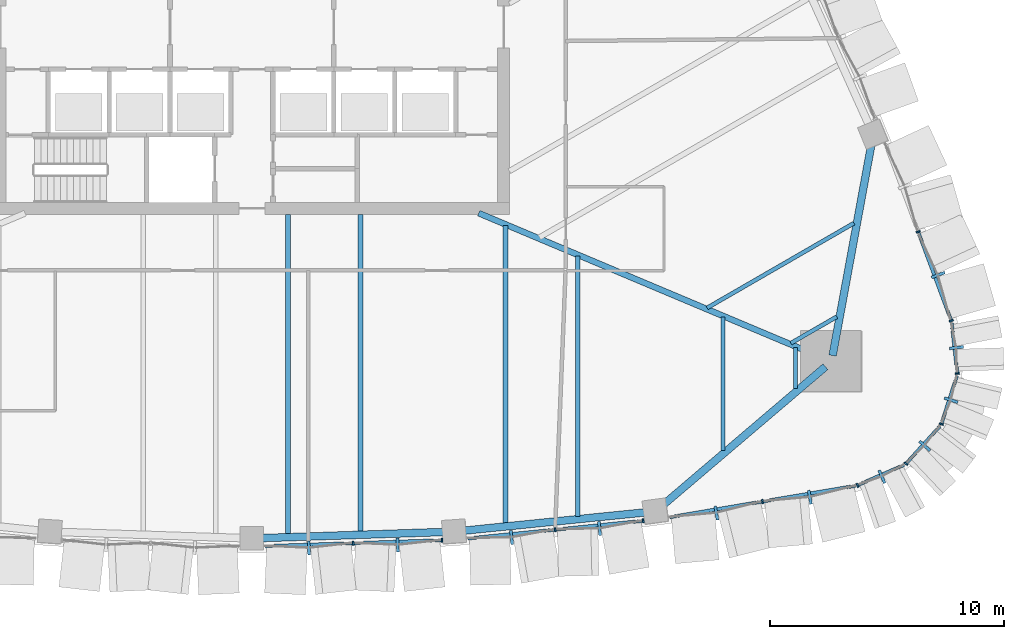
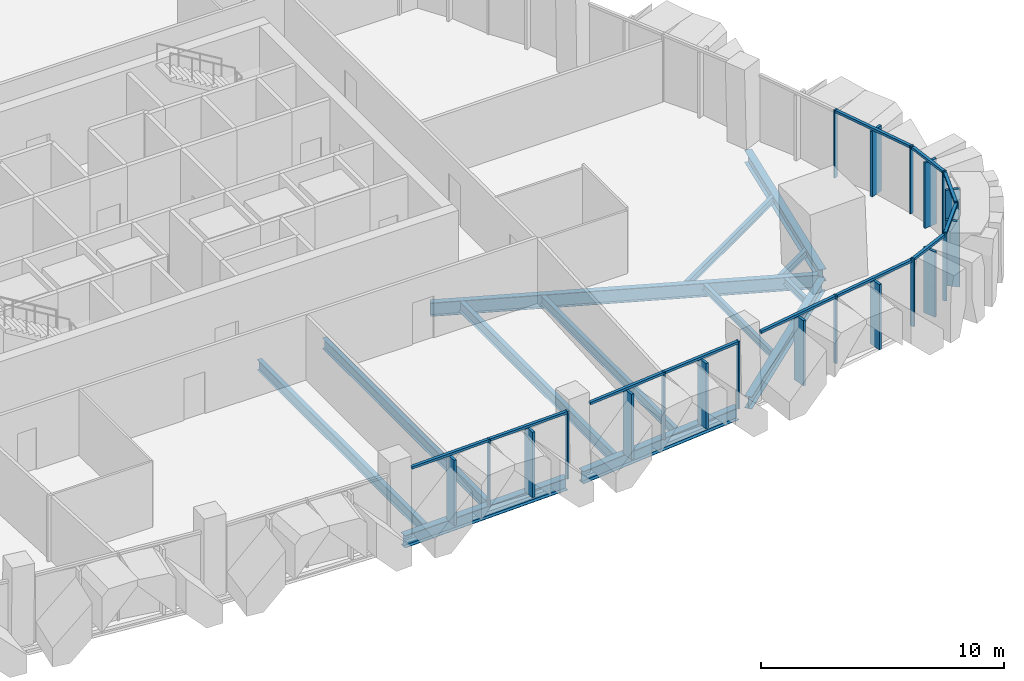
# One storey, part 4 of 18: 33 members, 13 beams, 8 elements without a shape of their own.
"""IFC4 building model written with IfcOpenShell, lengths in metres."""

from ifc_helpers import new_model, si_unit, direction, frame, origin, origin_2d, place, context, subcontext, project, spatial, rectangle, i_section, extrude, material, layer, layer_set, material_profile, profile_set, type_object, element, aggregate, save


model = new_model("IFC4")

# Units and contexts
model_context = context("Model", 3, precision=1e-05, world=origin(), true_north=direction((0.0, 1.0)))
body_context = subcontext(model_context, "Body", "Model", "MODEL_VIEW")
ifc_project = project(units=[si_unit("LENGTHUNIT", "METRE"), si_unit("AREAUNIT", "SQUARE_METRE"), si_unit("VOLUMEUNIT", "CUBIC_METRE"), si_unit("PLANEANGLEUNIT", "RADIAN"), si_unit("MASSUNIT", "GRAM", prefix="KILO")], contexts=[model_context])

# Site, building, storey
site_placement = place(None, origin())
site = spatial("IfcSite", under=ifc_project, at=site_placement, CompositionType="ELEMENT")
building_placement = place(site_placement, origin())
building = spatial("IfcBuilding", under=site, at=building_placement, Name="Sierra Prisma Convention Tower", CompositionType="ELEMENT")
storey_placement = place(building_placement, frame((0.0, 0.0, 137.800048828125)))
storey = spatial("IfcBuildingStorey", under=building, at=storey_placement, Name="L29", CompositionType="ELEMENT", Elevation=137.800048828125)

# Curtain wall, members
ifc_material_1 = material(Name="Aluminium and glass curtain wall", Category="aluminium")
ifc_layer = layer(ifc_material_1, 0.179931640625)
ifc_layer_set = layer_set([ifc_layer], Name="CW-2 Faceted crystal curtain wall")
curtain_wall_type = type_object("IfcCurtainWallType", Name="CW-2 Faceted crystal curtain wall", PredefinedType="NOTDEFINED", material=ifc_layer_set)
curtain_wall_1_placement = place(storey_placement, origin())
curtain_wall_1 = element("IfcCurtainWall", 1, at=curtain_wall_1_placement, inside=storey, type_object=curtain_wall_type, Name="CW-2 S4 L29", PredefinedType="NOTDEFINED")
ifc_material_2 = material(Name="Aluminium 6063-T6 bronze anodised", Category="aluminium")
ifc_material_profile_1 = material_profile(ifc_material_2, rectangle(XDim=0.1201171875, YDim=0.60009765625, at=origin_2d()), Name="ALU RIDGE BLADE 120x600")
ifc_profile_set_1 = profile_set([ifc_material_profile_1], Name="Aluminium 6063-T6 bronze anodised")
member_type_1 = type_object("IfcMemberType", Name="CW hip bronze", PredefinedType="MULLION", material=ifc_profile_set_1)
member_1_placement = place(storey_placement, frame((2.435302734375, -22.263427734375, 0.0), z_axis=(0.0, 0.0, 1.0), x_axis=(0.999438614123, 0.033503083443, 0.0)))
member_1 = element("IfcMember", 2, at=member_1_placement, type_object=member_type_1, Name="CW-2 ridge S4.1", PredefinedType="MULLION", context=body_context, shape_type="SweptSolid", body=[
    extrude(rectangle(XDim=0.1201171875, YDim=0.60009765625, at=origin_2d()), origin(), (0.0, 0.0, 1.0), 3.280029296875),
])
member_2_placement = place(storey_placement, frame((6.226318359375, -22.136474609375, 0.0), z_axis=(0.0, 0.0, 1.0), x_axis=(0.999438614123, 0.033503083443, 0.0)))
member_2 = element("IfcMember", 3, at=member_2_placement, type_object=member_type_1, Name="CW-2 ridge S4.2", PredefinedType="MULLION", context=body_context, shape_type="SweptSolid", body=[
    extrude(rectangle(XDim=0.1201171875, YDim=0.60009765625, at=origin_2d()), origin(), (0.0, 0.0, 1.0), 3.280029296875),
])

curtain_wall_2_placement = place(storey_placement, origin())
curtain_wall_2 = element("IfcCurtainWall", 4, at=curtain_wall_2_placement, inside=storey, type_object=curtain_wall_type, Name="CW-2 S5 L29", PredefinedType="NOTDEFINED")
member_3_placement = place(storey_placement, frame((11.090576171875, -21.81005859375, 0.0), z_axis=(0.0, 0.0, 1.0), x_axis=(0.994951308245, 0.100358827318, 0.0)))
member_3 = element("IfcMember", 5, at=member_3_placement, type_object=member_type_1, Name="CW-2 ridge S5.1", PredefinedType="MULLION", context=body_context, shape_type="SweptSolid", body=[
    extrude(rectangle(XDim=0.1201171875, YDim=0.60009765625, at=origin_2d()), origin(), (0.0, 0.0, 1.0), 3.280029296875),
])
member_4_placement = place(storey_placement, frame((14.8486328125, -21.430908203125, 0.0), z_axis=(0.0, 0.0, 1.0), x_axis=(0.994951308245, 0.100358827318, 0.0)))
member_4 = element("IfcMember", 6, at=member_4_placement, type_object=member_type_1, Name="CW-2 ridge S5.2", PredefinedType="MULLION", context=body_context, shape_type="SweptSolid", body=[
    extrude(rectangle(XDim=0.1201171875, YDim=0.60009765625, at=origin_2d()), origin(), (0.0, 0.0, 1.0), 3.280029296875),
])

curtain_wall_3_placement = place(storey_placement, origin())
curtain_wall_3 = element("IfcCurtainWall", 7, at=curtain_wall_3_placement, inside=storey, type_object=curtain_wall_type, Name="CW-2 S6 L29", PredefinedType="NOTDEFINED")
member_5_placement = place(storey_placement, frame((19.840087890625, -20.765625, 0.0), z_axis=(0.0, 0.0, 1.0), x_axis=(0.985996843714, 0.16676397748, 0.0)))
member_5 = element("IfcMember", 8, at=member_5_placement, type_object=member_type_1, Name="CW-2 ridge S6.1", PredefinedType="MULLION", context=body_context, shape_type="SweptSolid", body=[
    extrude(rectangle(XDim=0.1201171875, YDim=0.60009765625, at=origin_2d()), origin(), (0.0, 0.0, 1.0), 3.280029296875),
])
member_6_placement = place(storey_placement, frame((23.8330078125, -20.09033203125, 0.0), z_axis=(0.0, 0.0, 1.0), x_axis=(0.985996843714, 0.16676397748, 0.0)))
member_6 = element("IfcMember", 9, at=member_6_placement, type_object=member_type_1, Name="CW-2 ridge S6.2", PredefinedType="MULLION", context=body_context, shape_type="SweptSolid", body=[
    extrude(rectangle(XDim=0.1201171875, YDim=0.60009765625, at=origin_2d()), origin(), (0.0, 0.0, 1.0), 3.280029296875),
])

# Curtain wall, member
curtain_wall_4_placement = place(storey_placement, origin())
curtain_wall_4 = element("IfcCurtainWall", 10, at=curtain_wall_4_placement, inside=storey, type_object=curtain_wall_type, Name="CW-2 SE1 L29", PredefinedType="NOTDEFINED")
member_7_placement = place(storey_placement, frame((26.91162109375, -19.2138671875, 0.0), z_axis=(0.0, 0.0, 1.0), x_axis=(0.916084755525, 0.400984688853, 0.0)))
member_7 = element("IfcMember", 11, at=member_7_placement, type_object=member_type_1, Name="CW-2 ridge SE1.1", PredefinedType="MULLION", context=body_context, shape_type="SweptSolid", body=[
    extrude(rectangle(XDim=0.1201171875, YDim=0.60009765625, at=origin_2d()), origin(), (0.0, 0.0, 1.0), 3.280029296875),
])

curtain_wall_5_placement = place(storey_placement, origin())
curtain_wall_5 = element("IfcCurtainWall", 12, at=curtain_wall_5_placement, inside=storey, type_object=curtain_wall_type, Name="CW-2 SE2 L29", PredefinedType="NOTDEFINED")
member_8_placement = place(storey_placement, frame((28.74169921875, -17.89599609375, 0.0), z_axis=(0.0, 0.0, 1.0), x_axis=(0.670686652866, 0.741740799517, 0.0)))
member_8 = element("IfcMember", 13, at=member_8_placement, type_object=member_type_1, Name="CW-2 ridge SE2.1", PredefinedType="MULLION", context=body_context, shape_type="SweptSolid", body=[
    extrude(rectangle(XDim=0.1201171875, YDim=0.60009765625, at=origin_2d()), origin(), (0.0, 0.0, 1.0), 3.280029296875),
])

curtain_wall_6_placement = place(storey_placement, origin())
curtain_wall_6 = element("IfcCurtainWall", 14, at=curtain_wall_6_placement, inside=storey, type_object=curtain_wall_type, Name="CW-2 SE3 L29", PredefinedType="NOTDEFINED")
member_9_placement = place(storey_placement, frame((29.869140625, -15.94287109375, 0.0), z_axis=(0.0, 0.0, 1.0), x_axis=(0.307023048972, 0.951702079119, 0.0)))
member_9 = element("IfcMember", 15, at=member_9_placement, type_object=member_type_1, Name="CW-2 ridge SE3.1", PredefinedType="MULLION", context=body_context, shape_type="SweptSolid", body=[
    extrude(rectangle(XDim=0.1201171875, YDim=0.60009765625, at=origin_2d()), origin(), (0.0, 0.0, 1.0), 3.280029296875),
])

curtain_wall_7_placement = place(storey_placement, origin())
curtain_wall_7 = element("IfcCurtainWall", 16, at=curtain_wall_7_placement, inside=storey, type_object=curtain_wall_type, Name="CW-2 SE4 L29", PredefinedType="NOTDEFINED")
member_10_placement = place(storey_placement, frame((30.095458984375, -13.69921875, 0.0), z_axis=(0.0, 0.0, 1.0), x_axis=(-0.110779450688, 0.993845014731, 0.0)))
member_10 = element("IfcMember", 17, at=member_10_placement, type_object=member_type_1, Name="CW-2 ridge SE4.1", PredefinedType="MULLION", context=body_context, shape_type="SweptSolid", body=[
    extrude(rectangle(XDim=0.1201171875, YDim=0.60009765625, at=origin_2d()), origin(), (0.0, 0.0, 1.0), 3.280029296875),
])

curtain_wall_8_placement = place(storey_placement, origin())
curtain_wall_8 = element("IfcCurtainWall", 18, at=curtain_wall_8_placement, inside=storey, type_object=curtain_wall_type, Name="CW-2 NE1 L29", PredefinedType="NOTDEFINED")
member_11_placement = place(storey_placement, frame((29.315185546875, -10.594970703125, 0.0), z_axis=(0.0, 0.0, 1.0), x_axis=(-0.348576580923, 0.937280303448, 0.0)))
member_11 = element("IfcMember", 19, at=member_11_placement, type_object=member_type_1, Name="CW-2 ridge NE1.1", PredefinedType="MULLION", context=body_context, shape_type="SweptSolid", body=[
    extrude(rectangle(XDim=0.1201171875, YDim=0.60009765625, at=origin_2d()), origin(), (0.0, 0.0, 1.0), 3.280029296875),
])

# Member
ifc_material_3 = material(Name="Aluminium 6063-T6 bronze anodised", Category="aluminium")
ifc_material_profile_2 = material_profile(ifc_material_3, rectangle(XDim=0.179931640625, YDim=0.070068359375, at=origin_2d()), Name="ALU MULLION 70x180")
ifc_profile_set_2 = profile_set([ifc_material_profile_2], Name="Aluminium 6063-T6 bronze anodised")
member_type_2 = type_object("IfcMemberType", Name="CW mullion bronze", PredefinedType="MULLION", material=ifc_profile_set_2)
member_12_placement = place(storey_placement, frame((4.325927734375, -22.053466796875, 0.0), z_axis=(0.0, 0.0, 1.0), x_axis=(-0.033503083443, 0.999438614123, 0.0)))
member_12 = element("IfcMember", 20, at=member_12_placement, type_object=member_type_2, Name="CW-1 mullion S4.2", PredefinedType="MULLION", context=body_context, shape_type="SweptSolid", body=[
    extrude(rectangle(XDim=0.179931640625, YDim=0.070068359375, at=origin_2d()), origin(), (0.0, 0.0, 1.0), 3.39990234375),
])

member_13_placement = place(storey_placement, frame((8.1171875, -21.926513671875, 0.0), z_axis=(0.0, 0.0, 1.0), x_axis=(-0.033503083443, 0.999438614123, 0.0)))
member_13 = element("IfcMember", 21, at=member_13_placement, type_object=member_type_2, Name="CW-1 mullion S4.3", PredefinedType="MULLION", context=body_context, shape_type="SweptSolid", body=[
    extrude(rectangle(XDim=0.179931640625, YDim=0.070068359375, at=origin_2d()), origin(), (0.0, 0.0, 1.0), 3.39990234375),
])

member_14_placement = place(storey_placement, frame((12.954833984375, -21.475341796875, 0.0), z_axis=(0.0, 0.0, 1.0), x_axis=(-0.100358827318, 0.994951308245, 0.0)))
member_14 = element("IfcMember", 22, at=member_14_placement, type_object=member_type_2, Name="CW-1 mullion S5.2", PredefinedType="MULLION", context=body_context, shape_type="SweptSolid", body=[
    extrude(rectangle(XDim=0.179931640625, YDim=0.070068359375, at=origin_2d()), origin(), (0.0, 0.0, 1.0), 3.39990234375),
])

member_15_placement = place(storey_placement, frame((16.713134765625, -21.09619140625, 0.0), z_axis=(0.0, 0.0, 1.0), x_axis=(-0.100358827318, 0.994951308245, 0.0)))
member_15 = element("IfcMember", 23, at=member_15_placement, type_object=member_type_2, Name="CW-1 mullion S5.3", PredefinedType="MULLION", context=body_context, shape_type="SweptSolid", body=[
    extrude(rectangle(XDim=0.179931640625, YDim=0.070068359375, at=origin_2d()), origin(), (0.0, 0.0, 1.0), 3.39990234375),
])

member_16_placement = place(storey_placement, frame((21.810546875, -20.2734375, 0.0), z_axis=(0.0, 0.0, 1.0), x_axis=(-0.16676397748, 0.985996843714, 0.0)))
member_16 = element("IfcMember", 24, at=member_16_placement, type_object=member_type_2, Name="CW-1 mullion S6.2", PredefinedType="MULLION", context=body_context, shape_type="SweptSolid", body=[
    extrude(rectangle(XDim=0.179931640625, YDim=0.070068359375, at=origin_2d()), origin(), (0.0, 0.0, 1.0), 3.39990234375),
])

member_17_placement = place(storey_placement, frame((25.8701171875, -19.578369140625, 0.0), z_axis=(0.0, 0.0, 1.0), x_axis=(-0.400984688853, 0.916084755525, 0.0)))
member_17 = element("IfcMember", 25, at=member_17_placement, type_object=member_type_2, Name="CW-1 mullion SE1.1", PredefinedType="MULLION", context=body_context, shape_type="SweptSolid", body=[
    extrude(rectangle(XDim=0.179931640625, YDim=0.070068359375, at=origin_2d()), origin(), (0.0, 0.0, 1.0), 3.39990234375),
])

member_18_placement = place(storey_placement, frame((27.94140625, -18.656005859375, 0.0), z_axis=(0.0, 0.0, 1.0), x_axis=(-0.741740799517, 0.670686652866, 0.0)))
member_18 = element("IfcMember", 26, at=member_18_placement, type_object=member_type_2, Name="CW-1 mullion SE2.1", PredefinedType="MULLION", context=body_context, shape_type="SweptSolid", body=[
    extrude(rectangle(XDim=0.179931640625, YDim=0.070068359375, at=origin_2d()), origin(), (0.0, 0.0, 1.0), 3.39990234375),
])

member_19_placement = place(storey_placement, frame((29.45166015625, -16.96435546875, 0.0), z_axis=(0.0, 0.0, 1.0), x_axis=(-0.951702079119, 0.307023048972, 0.0)))
member_19 = element("IfcMember", 27, at=member_19_placement, type_object=member_type_2, Name="CW-1 mullion SE3.1", PredefinedType="MULLION", context=body_context, shape_type="SweptSolid", body=[
    extrude(rectangle(XDim=0.179931640625, YDim=0.070068359375, at=origin_2d()), origin(), (0.0, 0.0, 1.0), 3.39990234375),
])

member_20_placement = place(storey_placement, frame((30.134033203125, -14.802001953125, 0.0), z_axis=(0.0, 0.0, 1.0), x_axis=(-0.993845014731, -0.110779450688, 0.0)))
member_20 = element("IfcMember", 28, at=member_20_placement, type_object=member_type_2, Name="CW-1 mullion SE4.1", PredefinedType="MULLION", context=body_context, shape_type="SweptSolid", body=[
    extrude(rectangle(XDim=0.179931640625, YDim=0.070068359375, at=origin_2d()), origin(), (0.0, 0.0, 1.0), 3.39990234375),
])

member_21_placement = place(storey_placement, frame((29.874267578125, -12.54736328125, 0.0), z_axis=(0.0, 0.0, 1.0), x_axis=(-0.937280303448, -0.348576580923, 0.0)))
member_21 = element("IfcMember", 29, at=member_21_placement, type_object=member_type_2, Name="CW-1 mullion NE1.1", PredefinedType="MULLION", context=body_context, shape_type="SweptSolid", body=[
    extrude(rectangle(XDim=0.179931640625, YDim=0.070068359375, at=origin_2d()), origin(), (0.0, 0.0, 1.0), 3.39990234375),
])

member_22_placement = place(storey_placement, frame((28.462646484375, -8.751708984375, 0.0), z_axis=(0.0, 0.0, 1.0), x_axis=(-0.937280303448, -0.348576580923, 0.0)))
member_22 = element("IfcMember", 30, at=member_22_placement, type_object=member_type_2, Name="CW-1 mullion NE1.2", PredefinedType="MULLION", context=body_context, shape_type="SweptSolid", body=[
    extrude(rectangle(XDim=0.179931640625, YDim=0.070068359375, at=origin_2d()), origin(), (0.0, 0.0, 1.0), 3.39990234375),
])

ifc_material_4 = material(Name="Aluminium 6063-T6 bronze anodised", Category="aluminium")
ifc_material_profile_3 = material_profile(ifc_material_4, rectangle(XDim=0.139892578125, YDim=0.1201171875, at=origin_2d()), Name="ALU TRANSOM 120x140")
ifc_profile_set_3 = profile_set([ifc_material_profile_3], Name="Aluminium 6063-T6 bronze anodised")
member_type_3 = type_object("IfcMemberType", Name="CW transom bronze", PredefinedType="USERDEFINED", material=ifc_profile_set_3)
member_23_placement = place(storey_placement, frame((0.569580078125, -22.179443359375, 3.33984375), z_axis=(0.999438557818, 0.033504763042, 0.0), x_axis=(-0.033504763042, 0.999438557818, 0.0)))
member_23 = element("IfcMember", 31, at=member_23_placement, type_object=member_type_3, Name="CW-1 transom S4.1", ObjectType="TRANSOM", PredefinedType="USERDEFINED", context=body_context, shape_type="SweptSolid", body=[
    extrude(rectangle(XDim=0.139892578125, YDim=0.1201171875, at=origin_2d()), origin(), (0.0, 0.0, 1.0), 3.7236328125),
])

member_24_placement = place(storey_placement, frame((4.36083984375, -22.052490234375, 3.33984375), z_axis=(0.999438484207, 0.033506958761, 0.0), x_axis=(-0.033506958761, 0.999438484207, 0.0)))
member_24 = element("IfcMember", 32, at=member_24_placement, type_object=member_type_3, Name="CW-1 transom S4.2", ObjectType="TRANSOM", PredefinedType="USERDEFINED", context=body_context, shape_type="SweptSolid", body=[
    extrude(rectangle(XDim=0.139892578125, YDim=0.1201171875, at=origin_2d()), origin(), (0.0, 0.0, 1.0), 3.723388671875),
])

aggregate(curtain_wall_1, [member_12, member_13, member_23, member_1, member_24, member_2])

member_25_placement = place(storey_placement, frame((9.231689453125, -21.850830078125, 3.33984375), z_axis=(0.994950748887, 0.100364372604, 0.0), x_axis=(-0.100364372604, 0.994950748887, 0.0)))
member_25 = element("IfcMember", 33, at=member_25_placement, type_object=member_type_3, Name="CW-1 transom S5.1", ObjectType="TRANSOM", PredefinedType="USERDEFINED", context=body_context, shape_type="SweptSolid", body=[
    extrude(rectangle(XDim=0.139892578125, YDim=0.1201171875, at=origin_2d()), origin(), (0.0, 0.0, 1.0), 3.707275390625),
])

member_26_placement = place(storey_placement, frame((12.98974609375, -21.471923828125, 3.33984375), z_axis=(0.994950748887, 0.100364372604, 0.0), x_axis=(-0.100364372604, 0.994950748887, 0.0)))
member_26 = element("IfcMember", 34, at=member_26_placement, type_object=member_type_3, Name="CW-1 transom S5.2", ObjectType="TRANSOM", PredefinedType="USERDEFINED", context=body_context, shape_type="SweptSolid", body=[
    extrude(rectangle(XDim=0.139892578125, YDim=0.1201171875, at=origin_2d()), origin(), (0.0, 0.0, 1.0), 3.707275390625),
])

aggregate(curtain_wall_2, [member_14, member_15, member_25, member_3, member_26, member_4])

member_27_placement = place(storey_placement, frame((17.85205078125, -20.943115234375, 3.33984375), z_axis=(0.985989734825, 0.166806003546, 0.0), x_axis=(-0.166806003546, 0.985989734825, 0.0)))
member_27 = element("IfcMember", 35, at=member_27_placement, type_object=member_type_3, Name="CW-1 transom S6.1", ObjectType="TRANSOM", PredefinedType="USERDEFINED", context=body_context, shape_type="SweptSolid", body=[
    extrude(rectangle(XDim=0.139892578125, YDim=0.1201171875, at=origin_2d()), origin(), (0.0, 0.0, 1.0), 3.9794921875),
])

member_28_placement = place(storey_placement, frame((21.844970703125, -20.267578125, 3.33984375), z_axis=(0.986001528629, 0.166736275419, 0.0), x_axis=(-0.166736275419, 0.986001528629, 0.0)))
member_28 = element("IfcMember", 36, at=member_28_placement, type_object=member_type_3, Name="CW-1 transom S6.2", ObjectType="TRANSOM", PredefinedType="USERDEFINED", context=body_context, shape_type="SweptSolid", body=[
    extrude(rectangle(XDim=0.139892578125, YDim=0.1201171875, at=origin_2d()), origin(), (0.0, 0.0, 1.0), 3.979736328125),
])

aggregate(curtain_wall_3, [member_16, member_27, member_5, member_28, member_6])

member_29_placement = place(storey_placement, frame((25.902099609375, -19.564208984375, 3.33984375), z_axis=(0.916107361194, 0.400933040252, 0.0), x_axis=(-0.400933040252, 0.916107361194, 0.0)))
member_29 = element("IfcMember", 37, at=member_29_placement, type_object=member_type_3, Name="CW-1 transom SE1.1", ObjectType="TRANSOM", PredefinedType="USERDEFINED", context=body_context, shape_type="SweptSolid", body=[
    extrude(rectangle(XDim=0.139892578125, YDim=0.1201171875, at=origin_2d()), origin(), (0.0, 0.0, 1.0), 2.130615234375),
])

aggregate(curtain_wall_4, [member_17, member_29, member_7])

member_30_placement = place(storey_placement, frame((27.965087890625, -18.6298828125, 3.33984375), z_axis=(0.670628207994, 0.741793641549, 0.0), x_axis=(-0.741793641549, 0.670628207994, 0.0)))
member_30 = element("IfcMember", 38, at=member_30_placement, type_object=member_type_3, Name="CW-1 transom SE2.1", ObjectType="TRANSOM", PredefinedType="USERDEFINED", context=body_context, shape_type="SweptSolid", body=[
    extrude(rectangle(XDim=0.139892578125, YDim=0.1201171875, at=origin_2d()), origin(), (0.0, 0.0, 1.0), 2.13037109375),
])

aggregate(curtain_wall_5, [member_18, member_30, member_8])

member_31_placement = place(storey_placement, frame((29.46240234375, -16.93115234375, 3.33984375), z_axis=(0.306965953528, 0.951720496456, 0.0), x_axis=(-0.951720496456, 0.306965953528, 0.0)))
member_31 = element("IfcMember", 39, at=member_31_placement, type_object=member_type_3, Name="CW-1 transom SE3.1", ObjectType="TRANSOM", PredefinedType="USERDEFINED", context=body_context, shape_type="SweptSolid", body=[
    extrude(rectangle(XDim=0.139892578125, YDim=0.1201171875, at=origin_2d()), origin(), (0.0, 0.0, 1.0), 2.130615234375),
])

aggregate(curtain_wall_6, [member_19, member_31, member_9])

member_32_placement = place(storey_placement, frame((30.130126953125, -14.76708984375, 3.33984375), z_axis=(-0.110695642213, 0.993854352908, 0.0), x_axis=(-0.993854352908, -0.110695642213, 0.0)))
member_32 = element("IfcMember", 40, at=member_32_placement, type_object=member_type_3, Name="CW-1 transom SE4.1", ObjectType="TRANSOM", PredefinedType="USERDEFINED", context=body_context, shape_type="SweptSolid", body=[
    extrude(rectangle(XDim=0.139892578125, YDim=0.1201171875, at=origin_2d()), origin(), (0.0, 0.0, 1.0), 2.130615234375),
])

aggregate(curtain_wall_7, [member_20, member_32, member_10])

member_33_placement = place(storey_placement, frame((29.862060546875, -12.5146484375, 3.33984375), z_axis=(-0.348560775136, 0.937286181503, 0.0), x_axis=(-0.937286181503, -0.348560775136, 0.0)))
member_33 = element("IfcMember", 41, at=member_33_placement, type_object=member_type_3, Name="CW-1 transom NE1.1", ObjectType="TRANSOM", PredefinedType="USERDEFINED", context=body_context, shape_type="SweptSolid", body=[
    extrude(rectangle(XDim=0.139892578125, YDim=0.1201171875, at=origin_2d()), origin(), (0.0, 0.0, 1.0), 3.979736328125),
])

aggregate(curtain_wall_8, [member_21, member_22, member_33, member_11])

# Beams
ifc_material_5 = material(Name="Steel ASTM A992 Gr 50", Category="steel")
ifc_material_profile_4 = material_profile(ifc_material_5, i_section(OverallWidth=0.172119140625, OverallDepth=0.35791015625, WebThickness=0.0078125, FlangeThickness=0.01318359375, at=origin_2d()), Name="W360x57")
ifc_profile_set_4 = profile_set([ifc_material_profile_4], Name="Steel ASTM A992 Gr 50")
beam_type_1 = type_object("IfcBeamType", Name="Floor joist W360x57", PredefinedType="JOIST", material=ifc_profile_set_4)
beam_1_placement = place(storey_placement, frame((20.115966796875, -18.082275390625, -0.3291015625), z_axis=(0.0, 1.0, 0.0), x_axis=(-1.0, 0.0, 0.0)))
element("IfcBeam", 42, at=beam_1_placement, inside=storey, type_object=beam_type_1, Name="Floor joist L29 S15", PredefinedType="JOIST", context=body_context, shape_type="SweptSolid", body=[
    extrude(i_section(OverallWidth=0.172119140625, OverallDepth=0.35791015625, WebThickness=0.0078125, FlangeThickness=0.01318359375, at=origin_2d()), origin(), (0.0, 0.0, 1.0), 5.686279296875),
])
beam_2_placement = place(storey_placement, frame((23.210693359375, -15.447998046875, -0.3291015625), z_axis=(0.0, 1.0, 0.0), x_axis=(-1.0, 0.0, 0.0)))
element("IfcBeam", 43, at=beam_2_placement, inside=storey, type_object=beam_type_1, Name="Floor joist L29 S16", PredefinedType="JOIST", context=body_context, shape_type="SweptSolid", body=[
    extrude(i_section(OverallWidth=0.172119140625, OverallDepth=0.35791015625, WebThickness=0.0078125, FlangeThickness=0.01318359375, at=origin_2d()), origin(), (0.0, 0.0, 1.0), 1.749755859375),
])
beam_3_placement = place(storey_placement, frame((24.983642578125, -12.377197265625, -0.3291015625), z_axis=(-0.866031132047, -0.499990078228, 0.0), x_axis=(0.499990078228, -0.866031132047, 0.0)))
element("IfcBeam", 44, at=beam_3_placement, inside=storey, type_object=beam_type_1, Name="Floor joist L29 NE01", PredefinedType="JOIST", context=body_context, shape_type="SweptSolid", body=[
    extrude(i_section(OverallWidth=0.172119140625, OverallDepth=0.35791015625, WebThickness=0.0078125, FlangeThickness=0.01318359375, at=origin_2d()), origin(), (0.0, 0.0, 1.0), 2.263671875),
])
beam_4_placement = place(storey_placement, frame((25.7177734375, -8.379638671875, -0.3291015625), z_axis=(-0.866017805824, -0.500013159823, 0.0), x_axis=(0.500013159823, -0.866017805824, 0.0)))
element("IfcBeam", 45, at=beam_4_placement, inside=storey, type_object=beam_type_1, Name="Floor joist L29 NE02", PredefinedType="JOIST", context=body_context, shape_type="SweptSolid", body=[
    extrude(i_section(OverallWidth=0.172119140625, OverallDepth=0.35791015625, WebThickness=0.0078125, FlangeThickness=0.01318359375, at=origin_2d()), origin(), (0.0, 0.0, 1.0), 7.245361328125),
])
ifc_material_6 = material(Name="Steel ASTM A992 Gr 50", Category="steel")
ifc_material_profile_5 = material_profile(ifc_material_6, i_section(OverallWidth=0.18994140625, OverallDepth=0.45703125, WebThickness=0.009033203125, FlangeThickness=0.014404296875, at=origin_2d()), Name="W460x74")
ifc_profile_set_5 = profile_set([ifc_material_profile_5], Name="Steel ASTM A992 Gr 50")
beam_type_2 = type_object("IfcBeamType", Name="Floor joist W460x74", PredefinedType="JOIST", material=ifc_profile_set_5)
beam_5_placement = place(storey_placement, frame((13.926513671875, -20.912353515625, -0.378662109375), z_axis=(0.0, 1.0, 0.0), x_axis=(-1.0, 0.0, 0.0)))
element("IfcBeam", 46, at=beam_5_placement, inside=storey, type_object=beam_type_2, Name="Floor joist L29 S13", PredefinedType="JOIST", context=body_context, shape_type="SweptSolid", body=[
    extrude(i_section(OverallWidth=0.18994140625, OverallDepth=0.45703125, WebThickness=0.009033203125, FlangeThickness=0.014404296875, at=origin_2d()), origin(), (0.0, 0.0, 1.0), 11.120849609375),
])
ifc_material_7 = material(Name="Steel ASTM A992 Gr 50", Category="steel")
ifc_material_profile_6 = material_profile(ifc_material_7, i_section(OverallWidth=0.208984375, OverallDepth=0.532958984375, WebThickness=0.01025390625, FlangeThickness=0.015625, at=origin_2d()), Name="W530x92")
ifc_profile_set_6 = profile_set([ifc_material_profile_6], Name="Steel ASTM A992 Gr 50")
beam_type_3 = type_object("IfcBeamType", Name="Floor joist W530x92", PredefinedType="JOIST", material=ifc_profile_set_6)
beam_6_placement = place(storey_placement, frame((1.54736328125, -21.68408203125, -0.41650390625), z_axis=(0.0, 1.0, 0.0), x_axis=(-1.0, 0.0, 0.0)))
element("IfcBeam", 47, at=beam_6_placement, inside=storey, type_object=beam_type_3, Name="Floor joist L29 S09", PredefinedType="JOIST", context=body_context, shape_type="SweptSolid", body=[
    extrude(i_section(OverallWidth=0.208984375, OverallDepth=0.532958984375, WebThickness=0.01025390625, FlangeThickness=0.015625, at=origin_2d()), origin(), (0.0, 0.0, 1.0), 13.68408203125),
])
beam_7_placement = place(storey_placement, frame((4.64208984375, -21.580322265625, -0.41650390625), z_axis=(0.0, 1.0, 0.0), x_axis=(-1.0, 0.0, 0.0)))
element("IfcBeam", 48, at=beam_7_placement, inside=storey, type_object=beam_type_3, Name="Floor joist L29 S10", PredefinedType="JOIST", context=body_context, shape_type="SweptSolid", body=[
    extrude(i_section(OverallWidth=0.208984375, OverallDepth=0.532958984375, WebThickness=0.01025390625, FlangeThickness=0.015625, at=origin_2d()), origin(), (0.0, 0.0, 1.0), 13.580322265625),
])
beam_8_placement = place(storey_placement, frame((10.831787109375, -21.224609375, -0.41650390625), z_axis=(0.0, 1.0, 0.0), x_axis=(-1.0, 0.0, 0.0)))
element("IfcBeam", 49, at=beam_8_placement, inside=storey, type_object=beam_type_3, Name="Floor joist L29 S12", PredefinedType="JOIST", context=body_context, shape_type="SweptSolid", body=[
    extrude(i_section(OverallWidth=0.208984375, OverallDepth=0.532958984375, WebThickness=0.01025390625, FlangeThickness=0.015625, at=origin_2d()), origin(), (0.0, 0.0, 1.0), 12.7353515625),
])
ifc_material_8 = material(Name="Steel ASTM A992 Gr 50", Category="steel")
ifc_material_profile_7 = material_profile(ifc_material_8, i_section(OverallWidth=0.25390625, OverallDepth=0.68408203125, WebThickness=0.012451171875, FlangeThickness=0.018798828125, at=origin_2d()), Name="W690x140")
ifc_profile_set_7 = profile_set([ifc_material_profile_7], Name="Steel ASTM A992 Gr 50")
beam_type_4 = type_object("IfcBeamType", Name="Radial girder W690x140", PredefinedType="BEAM", material=ifc_profile_set_7)
beam_9_placement = place(storey_placement, frame((24.498046875, -14.184814453125, -0.491943359375), z_axis=(-0.921718877278, 0.387858622785, 0.0), x_axis=(-0.387858622785, -0.921718877278, 0.0)))
element("IfcBeam", 50, at=beam_9_placement, inside=storey, type_object=beam_type_4, Name="Radial girder L29 SE", PredefinedType="BEAM", context=body_context, shape_type="SweptSolid", body=[
    extrude(i_section(OverallWidth=0.25390625, OverallDepth=0.68408203125, WebThickness=0.012451171875, FlangeThickness=0.018798828125, at=origin_2d()), origin(), (0.0, 0.0, 1.0), 16.066162109375),
])
ifc_material_9 = material(Name="Steel ASTM A992 Gr 50", Category="steel")
ifc_material_profile_8 = material_profile(ifc_material_9, i_section(OverallWidth=0.324951171875, OverallDepth=0.615966796875, WebThickness=0.013916015625, FlangeThickness=0.021484375, at=origin_2d()), Name="W610x174")
ifc_profile_set_8 = profile_set([ifc_material_profile_8], Name="Steel ASTM A992 Gr 50")
beam_type_5 = type_object("IfcBeamType", Name="Spandrel beam W610x174", PredefinedType="BEAM", material=ifc_profile_set_8)
beam_10_placement = place(storey_placement, frame((0.380126953125, -21.8359375, -0.4580078125), z_axis=(0.999437667197, 0.033531319504, 0.0), x_axis=(-0.033531319504, 0.999437667197, 0.0)))
element("IfcBeam", 51, at=beam_10_placement, inside=storey, type_object=beam_type_5, Name="Spandrel L29-04", PredefinedType="BEAM", context=body_context, shape_type="SweptSolid", body=[
    extrude(i_section(OverallWidth=0.324951171875, OverallDepth=0.615966796875, WebThickness=0.013916015625, FlangeThickness=0.021484375, at=origin_2d()), origin(), (0.0, 0.0, 1.0), 7.88525390625),
])
beam_11_placement = place(storey_placement, frame((9.019287109375, -21.520751953125, -0.4580078125), z_axis=(0.994949751848, 0.100374256146, 0.0), x_axis=(-0.100374256146, 0.994949751848, 0.0)))
element("IfcBeam", 52, at=beam_11_placement, inside=storey, type_object=beam_type_5, Name="Spandrel L29-05", PredefinedType="BEAM", context=body_context, shape_type="SweptSolid", body=[
    extrude(i_section(OverallWidth=0.324951171875, OverallDepth=0.615966796875, WebThickness=0.013916015625, FlangeThickness=0.021484375, at=origin_2d()), origin(), (0.0, 0.0, 1.0), 7.885498046875),
])
beam_12_placement = place(storey_placement, frame((17.6044921875, -20.3837890625, -0.4580078125), z_axis=(0.761454707045, 0.648218118475, 0.0), x_axis=(-0.648218118475, 0.761454707045, 0.0)))
element("IfcBeam", 53, at=beam_12_placement, inside=storey, type_object=beam_type_5, Name="Spandrel L29-06", PredefinedType="BEAM", context=body_context, shape_type="SweptSolid", body=[
    extrude(i_section(OverallWidth=0.324951171875, OverallDepth=0.615966796875, WebThickness=0.013916015625, FlangeThickness=0.021484375, at=origin_2d()), origin(), (0.0, 0.0, 1.0), 9.05322265625),
])
beam_13_placement = place(storey_placement, frame((24.805908203125, -14.0341796875, -0.4580078125), z_axis=(0.180624069906, 0.98355220775, 0.0), x_axis=(-0.98355220775, 0.180624069906, 0.0)))
element("IfcBeam", 54, at=beam_13_placement, inside=storey, type_object=beam_type_5, Name="Spandrel L29-07", PredefinedType="BEAM", context=body_context, shape_type="SweptSolid", body=[
    extrude(i_section(OverallWidth=0.324951171875, OverallDepth=0.615966796875, WebThickness=0.013916015625, FlangeThickness=0.021484375, at=origin_2d()), origin(), (0.0, 0.0, 1.0), 9.13037109375),
])

save(model, "model.ifc")
